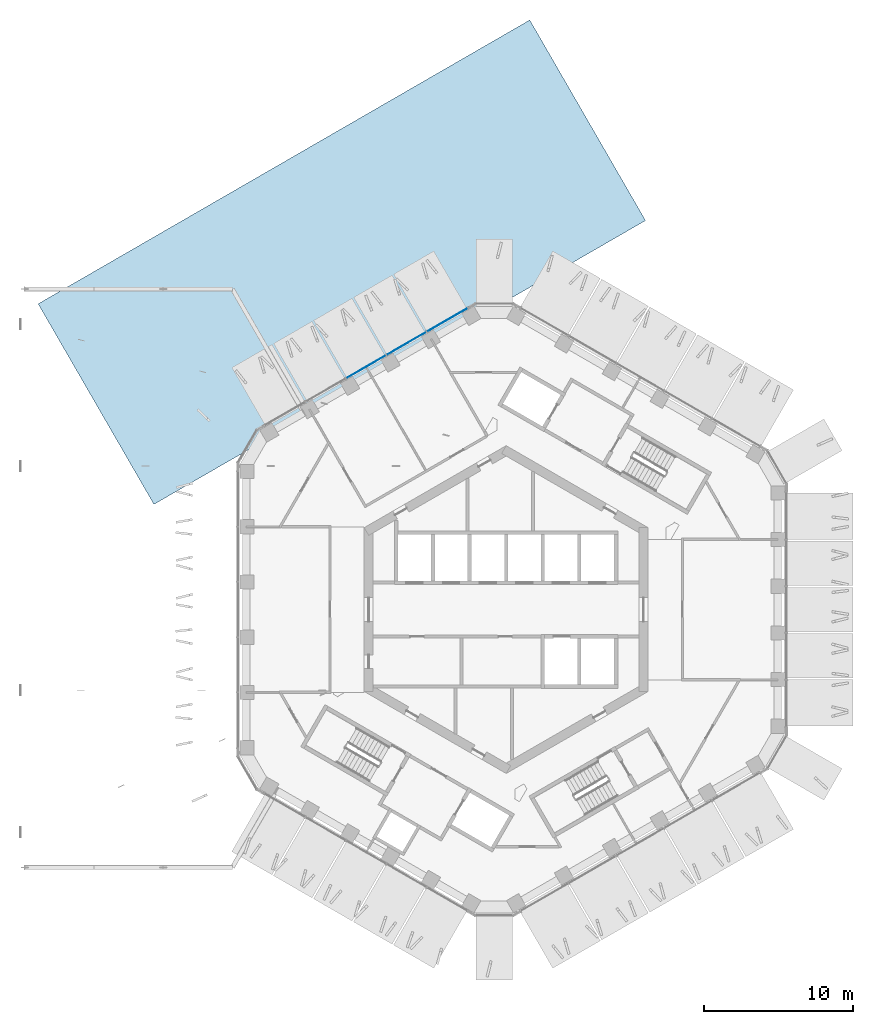
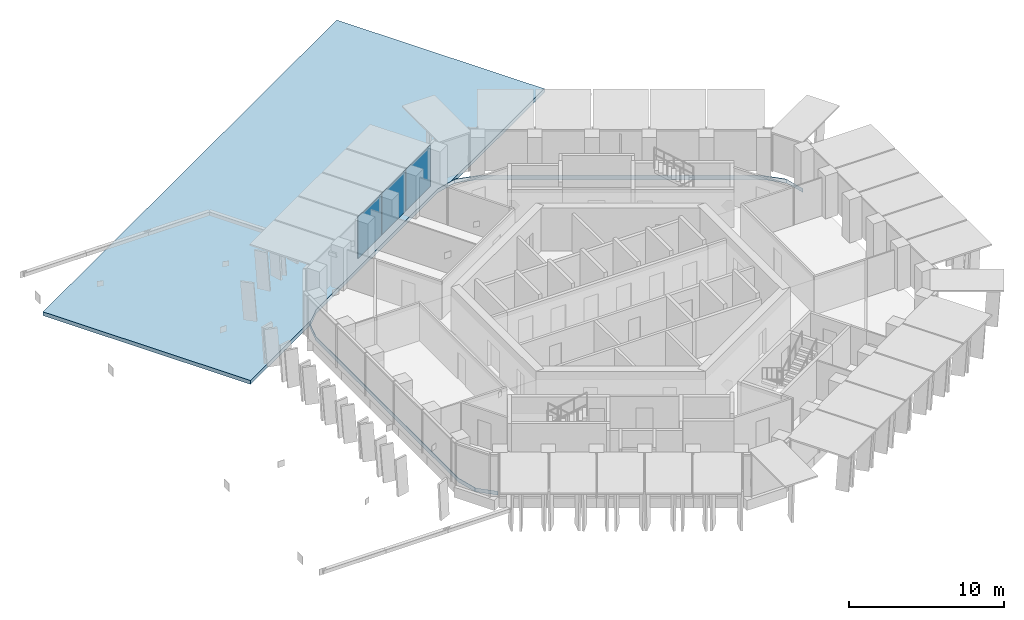
# One storey, part 11 of 23: 3 plates, 1 slab, 1 element without a shape of its own.
"""IFC4 building model written with IfcOpenShell, lengths in metres."""

from ifc_helpers import new_model, si_unit, direction, frame, origin, origin_2d, place, context, subcontext, project, spatial, polyline, rectangle, outline, extrude, material, layer, layer_set, type_object, element, aggregate, save


model = new_model("IFC4")

# Units and contexts
model_context = context("Model", 3, precision=1e-05, world=origin(), true_north=direction((0.0, 1.0)))
body_context = subcontext(model_context, "Body", "Model", "MODEL_VIEW")
ifc_project = project(units=[si_unit("LENGTHUNIT", "METRE"), si_unit("AREAUNIT", "SQUARE_METRE"), si_unit("VOLUMEUNIT", "CUBIC_METRE"), si_unit("PLANEANGLEUNIT", "RADIAN"), si_unit("MASSUNIT", "GRAM", prefix="KILO")], contexts=[model_context])

# Site, building, storey
site_placement = place(None, origin())
site = spatial("IfcSite", under=ifc_project, at=site_placement, CompositionType="ELEMENT")
building_placement = place(site_placement, origin())
building = spatial("IfcBuilding", under=site, at=building_placement, Name="Ayvan Gate Tower", CompositionType="ELEMENT")
storey_placement = place(building_placement, frame((0.0, 0.0, 198.699951171875)))
storey = spatial("IfcBuildingStorey", under=building, at=storey_placement, Name="L53", CompositionType="ELEMENT", Elevation=198.699951171875)

# Slab
ifc_material_1 = material(Name="Concrete C40/50", Category="concrete")
ifc_layer_1 = layer(ifc_material_1, 0.300048828125)
ifc_layer_set_1 = layer_set([ifc_layer_1], Name="Concrete C40/50")
slab_type = type_object("IfcSlabType", Name="Roof slab 300", PredefinedType="ROOF", material=ifc_layer_set_1)
slab_placement = place(storey_placement, frame((0.0, 0.0, -0.300048828125)))
element("IfcSlab", 1, at=slab_placement, inside=storey, type_object=slab_type, Name="RF-B4", PredefinedType="ROOF", context=body_context, shape_type="SweptSolid", body=[
    extrude(outline(polyline([(18.1865234375, 7.92138671875), (18.1865234375, 7.91796875), (17.803955078125, 9.345947265625), (17.80322265625, 9.347900390625), (17.802490234375, 9.349853515625), (17.80126953125, 9.351806640625), (17.800048828125, 9.353271484375), (17.798828125, 9.35498046875), (16.70068359375, 10.453125), (16.699462890625, 10.4541015625), (16.697998046875, 10.455322265625), (16.696533203125, 10.456298828125), (0.70703125, 19.687744140625), (0.70556640625, 19.6884765625), (0.703857421875, 19.689208984375), (0.7021484375, 19.689697265625), (-0.7978515625, 20.091552734375), (-0.7998046875, 20.092041015625), (-0.802001953125, 20.09228515625), (-0.803955078125, 20.09228515625), (-0.80615234375, 20.092041015625), (-0.80810546875, 20.091552734375), (-2.30810546875, 19.689697265625), (-2.309814453125, 19.689208984375), (-2.311279296875, 19.6884765625), (-2.31298828125, 19.687744140625), (-15.8935546875, 11.846923828125), (-15.89501953125, 11.845947265625), (-15.896484375, 11.844970703125), (-15.897705078125, 11.84375), (-16.995849609375, 10.74560546875), (-16.997314453125, 10.744140625), (-16.99853515625, 10.742431640625), (-16.99951171875, 10.74072265625), (-17.000244140625, 10.73876953125), (-17.0009765625, 10.73681640625), (-17.40283203125, 9.23681640625), (-17.4033203125, 9.235107421875), (-17.403564453125, 9.233154296875), (-17.403564453125, 9.2314453125), (-17.403564453125, -9.2314453125), (-17.403564453125, -9.233154296875), (-17.4033203125, -9.235107421875), (-17.40283203125, -9.23681640625), (-17.0009765625, -10.73681640625), (-17.000244140625, -10.73876953125), (-16.99951171875, -10.74072265625), (-16.99853515625, -10.742431640625), (-16.997314453125, -10.744140625), (-16.995849609375, -10.74560546875), (-15.950439453125, -11.791015625), (-15.953369140625, -11.789306640625), (-17.051513671875, -10.691162109375), (-17.453369140625, -9.191162109375), (-17.453369140625, 9.191162109375), (-17.051513671875, 10.691162109375), (-16.77294921875, 10.9697265625), (-23.5791015625, 7.040283203125), (-31.3291015625, 20.463623046875), (1.579833984375, 39.463623046875), (9.329833984375, 26.040283203125), (-1.113525390625, 20.0107421875), (-0.733154296875, 20.112548828125), (0.766845703125, 19.710693359375), (16.6865234375, 10.51953125), (17.78466796875, 9.42138671875), (18.1865234375, 7.92138671875)])), origin(), (0.0, 0.0, 1.0), 0.300048828125),
])

# Curtain wall, plates
ifc_material_2 = material(Name="Bronze anodised aluminium", Category="aluminium")
ifc_layer_2 = layer(ifc_material_2, 0.199951171875)
ifc_layer_set_2 = layer_set([ifc_layer_2], Name="Bronze anodised aluminium")
curtain_wall_type = type_object("IfcCurtainWallType", Name="Stick curtain wall CW-2", PredefinedType="NOTDEFINED", material=ifc_layer_set_2)
curtain_wall_placement = place(storey_placement, origin())
curtain_wall = element("IfcCurtainWall", 2, at=curtain_wall_placement, inside=storey, type_object=curtain_wall_type, Name="Stick curtain wall CW-2 L53", PredefinedType="NOTDEFINED")
ifc_material_3 = material(Name="Clear low-iron laminated glass", Category="glass")
ifc_layer_3 = layer(ifc_material_3, 0.028076171875)
ifc_layer_set_3 = layer_set([ifc_layer_3], Name="Clear low-iron laminated glass")
plate_type = type_object("IfcPlateType", Name="Stick curtain wall CW-2 glass panel", PredefinedType="CURTAIN_PANEL", material=ifc_layer_set_3)
plate_1_placement = place(storey_placement, frame((-3.9248046875, 19.39794921875, 0.0), z_axis=(0.0, 0.0, 1.0), x_axis=(-0.866025403784, -0.5, 0.0)))
plate_1 = element("IfcPlate", 3, at=plate_1_placement, type_object=plate_type, Name="CW-2 glass panel 1", PredefinedType="CURTAIN_PANEL", context=body_context, shape_type="SweptSolid", body=[
    extrude(rectangle(XDim=3.1630859375, YDim=0.028076171875, at=origin_2d()), origin(), (0.0, 0.0, 1.0), 3.280029296875),
])
plate_2_placement = place(storey_placement, frame((-6.676513671875, 17.809326171875, 0.0), z_axis=(0.0, 0.0, 1.0), x_axis=(-0.866025403784, -0.5, 0.0)))
plate_2 = element("IfcPlate", 4, at=plate_2_placement, type_object=plate_type, Name="CW-2 glass panel 2", PredefinedType="CURTAIN_PANEL", context=body_context, shape_type="SweptSolid", body=[
    extrude(rectangle(XDim=3.052001953125, YDim=0.028076171875, at=origin_2d()), origin(), (0.0, 0.0, 1.0), 3.280029296875),
])
plate_3_placement = place(storey_placement, frame((-9.380859375, 16.248046875, 0.0), z_axis=(0.0, 0.0, 1.0), x_axis=(-0.866025403784, -0.5, 0.0)))
plate_3 = element("IfcPlate", 5, at=plate_3_placement, type_object=plate_type, Name="CW-2 glass panel 3", PredefinedType="CURTAIN_PANEL", context=body_context, shape_type="SweptSolid", body=[
    extrude(rectangle(XDim=3.052978515625, YDim=0.028076171875, at=origin_2d()), origin(), (0.0, 0.0, 1.0), 3.280029296875),
])
aggregate(curtain_wall, [plate_1, plate_2, plate_3])

save(model, "model.ifc")
